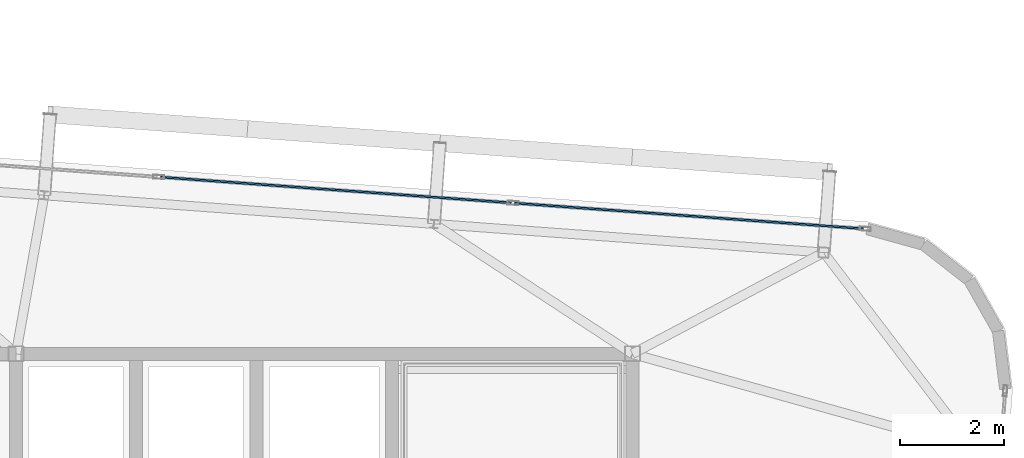
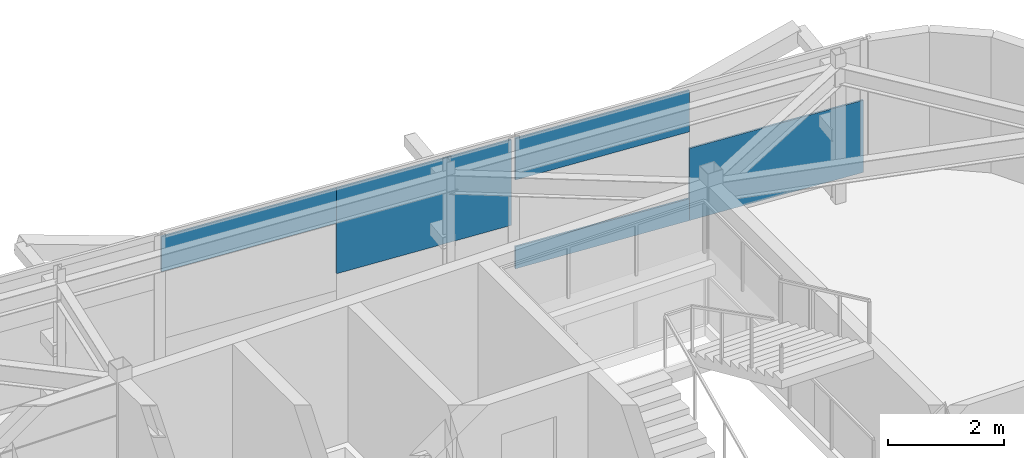
# One storey, part 28 of 40: 5 plates, 1 element without a shape of its own.
"""IFC4 building model written with IfcOpenShell, lengths in metres."""

from ifc_helpers import new_model, si_unit, direction, frame, origin, origin_2d, place, context, subcontext, project, spatial, rectangle, extrude, source, transform, mapped, material, layer, layer_set, type_object, element, aggregate, save


model = new_model("IFC4")

# Units and contexts
model_context = context("Model", 3, precision=1e-05, world=origin(), true_north=direction((0.0, 1.0)))
body_context = subcontext(model_context, "Body", "Model", "MODEL_VIEW")
ifc_project = project(units=[si_unit("LENGTHUNIT", "METRE"), si_unit("AREAUNIT", "SQUARE_METRE"), si_unit("VOLUMEUNIT", "CUBIC_METRE"), si_unit("PLANEANGLEUNIT", "RADIAN"), si_unit("MASSUNIT", "GRAM", prefix="KILO")], contexts=[model_context])

# Site, building, storey
site_placement = place(None, origin())
site = spatial("IfcSite", under=ifc_project, at=site_placement, CompositionType="ELEMENT")
building_placement = place(site_placement, origin())
building = spatial("IfcBuilding", under=site, at=building_placement, Name="Taldren Reach Tower", CompositionType="ELEMENT")
storey_placement = place(building_placement, frame((0.0, 0.0, 233.449951171875)))
storey = spatial("IfcBuildingStorey", under=building, at=storey_placement, Name="L71", CompositionType="ELEMENT", Elevation=233.449951171875)

# Curtain wall, plates
ifc_material_1 = material(Name="Aluminium and Low-E Glass Unitised System", Category="aluminium")
ifc_layer_1 = layer(ifc_material_1, 0.159912109375)
ifc_layer_set_1 = layer_set([ifc_layer_1], Name="Aluminium and Low-E Glass Unitised System")
curtain_wall_type = type_object("IfcCurtainWallType", Name="CW-SYS-7", PredefinedType="NOTDEFINED", material=ifc_layer_set_1)
curtain_wall_placement = place(storey_placement, origin())
curtain_wall = element("IfcCurtainWall", 1, at=curtain_wall_placement, inside=storey, type_object=curtain_wall_type, Name="Unitised curtain wall CW-L71-NEWING", PredefinedType="NOTDEFINED")
ifc_material_2 = material(Name="Acoustic Triple-Laminated IGU", Category="glass")
ifc_layer_2 = layer(ifc_material_2, 0.035888671875)
ifc_layer_set_2 = layer_set([ifc_layer_2], Name="Acoustic Triple-Laminated IGU")
plate_type = type_object("IfcPlateType", Name="CW-PNL-IGU36", PredefinedType="CURTAIN_PANEL", material=ifc_layer_set_2)
shared_shape_1 = source(origin(), body_context, "Body", "SweptSolid", [
    extrude(rectangle(XDim=3.34375, YDim=0.035888671875, at=origin_2d()), origin(), (0.0, 0.0, 1.0), 1.52490234375),
])
plate_1_placement = place(storey_placement, frame((53.75244140625, 34.517822265625, 0.06005859375), z_axis=(0.0, 0.0, 1.0), x_axis=(-0.997314475893, 0.073238215265, 0.0)))
plate_1 = element("IfcPlate", 2, at=plate_1_placement, type_object=plate_type, Name="CW-7 panel 1.1 part 1", PredefinedType="CURTAIN_PANEL", context=body_context, shape_type="MappedRepresentation", body=[
    mapped(shared_shape_1, transform((0.0, 0.0, 0.0), scale=1.0)),
])
shared_shape_2 = source(origin(), body_context, "Body", "SweptSolid", [
    extrude(rectangle(XDim=3.34375, YDim=0.035888671875, at=origin_2d()), origin(), (0.0, 0.0, 1.0), 0.46533203125),
])
plate_2_placement = place(storey_placement, frame((50.417724609375, 34.7626953125, 0.06005859375), z_axis=(0.0, 0.0, 1.0), x_axis=(-0.997314475893, 0.073238215265, 0.0)))
plate_2 = element("IfcPlate", 3, at=plate_2_placement, type_object=plate_type, Name="CW-7 panel 1.1 part 2", PredefinedType="CURTAIN_PANEL", context=body_context, shape_type="MappedRepresentation", body=[
    mapped(shared_shape_2, transform((0.0, 0.0, 0.0), scale=1.0)),
])
shared_shape_3 = source(origin(), body_context, "Body", "SweptSolid", [
    extrude(rectangle(XDim=3.34375, YDim=0.035888671875, at=origin_2d()), origin(), (0.0, 0.0, 1.0), 0.874267578125),
])
plate_3_placement = place(storey_placement, frame((50.417724609375, 34.7626953125, 1.93603515625), z_axis=(0.0, 0.0, 1.0), x_axis=(-0.997314475893, 0.073238215265, 0.0)))
plate_3 = element("IfcPlate", 4, at=plate_3_placement, type_object=plate_type, Name="CW-7 panel 1.1 part 3", PredefinedType="CURTAIN_PANEL", context=body_context, shape_type="MappedRepresentation", body=[
    mapped(shared_shape_3, transform((0.0, 0.0, 0.0), scale=1.0)),
])
shared_shape_4 = source(origin(), body_context, "Body", "SweptSolid", [
    extrude(rectangle(XDim=3.3623046875, YDim=0.035888671875, at=origin_2d()), origin(), (0.0, 0.0, 1.0), 1.806396484375),
])
plate_4_placement = place(storey_placement, frame((46.9990234375, 35.013671875, 1.00390625), z_axis=(0.0, 0.0, 1.0), x_axis=(-0.997314475893, 0.073238215265, 0.0)))
plate_4 = element("IfcPlate", 5, at=plate_4_placement, type_object=plate_type, Name="CW-7 panel 2.1 part 1", PredefinedType="CURTAIN_PANEL", context=body_context, shape_type="MappedRepresentation", body=[
    mapped(shared_shape_4, transform((0.0, 0.0, 0.0), scale=1.0)),
])
shared_shape_5 = source(origin(), body_context, "Body", "SweptSolid", [
    extrude(rectangle(XDim=3.3623046875, YDim=0.035888671875, at=origin_2d()), origin(), (0.0, 0.0, 1.0), 0.740966796875),
])
plate_5_placement = place(storey_placement, frame((43.6455078125, 35.260009765625, 2.06884765625), z_axis=(0.0, 0.0, 1.0), x_axis=(-0.997314475893, 0.073238215265, 0.0)))
plate_5 = element("IfcPlate", 6, at=plate_5_placement, type_object=plate_type, Name="CW-7 panel 2.1 part 3", PredefinedType="CURTAIN_PANEL", context=body_context, shape_type="MappedRepresentation", body=[
    mapped(shared_shape_5, transform((0.0, 0.0, 0.0), scale=1.0)),
])
aggregate(curtain_wall, [plate_1, plate_2, plate_3, plate_4, plate_5])

save(model, "model.ifc")
